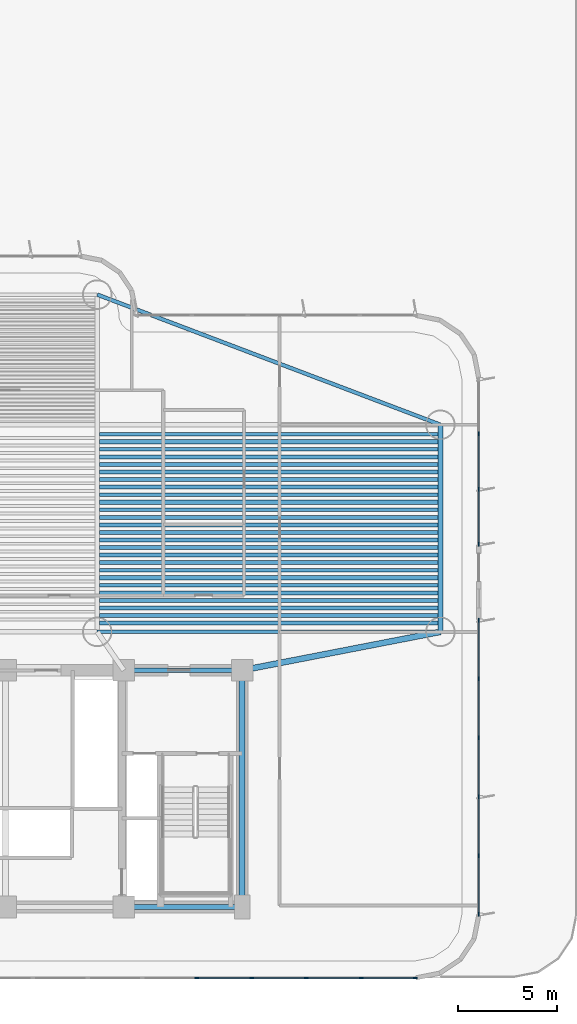
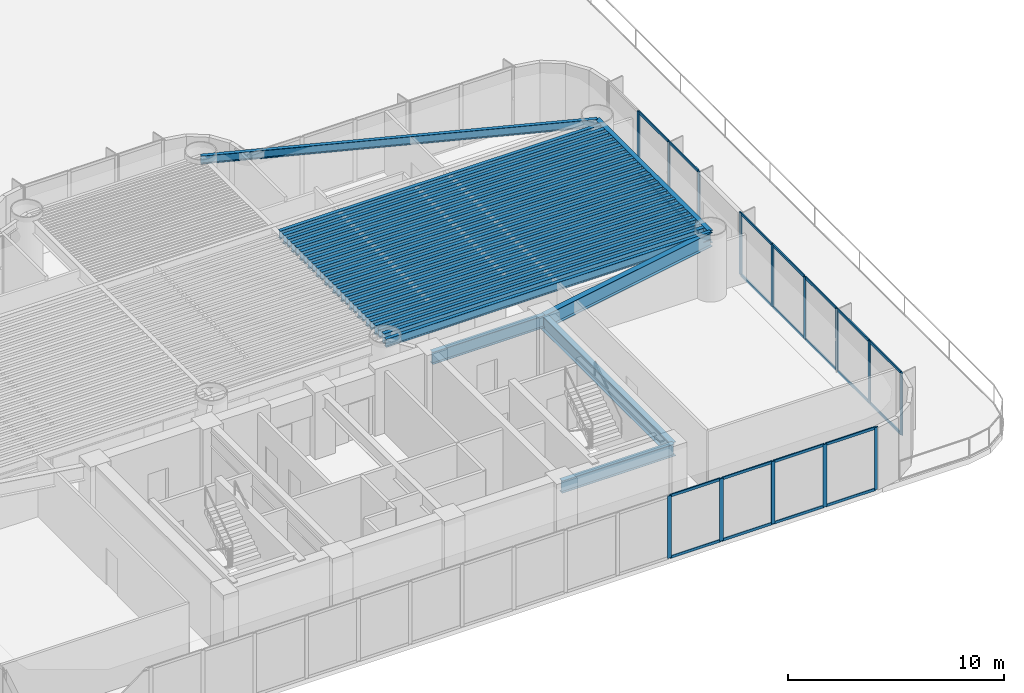
# One storey, part 5 of 17: 36 members, 33 beams, 3 elements without a shape of their own.
"""IFC4 building model written with IfcOpenShell, lengths in metres."""

from ifc_helpers import new_model, si_unit, direction, frame, origin, origin_2d, place, context, subcontext, project, spatial, rectangle, i_section, extrude, source, transform, mapped, material, layer, layer_set, material_profile, profile_set, type_object, element, aggregate, save


model = new_model("IFC4")

# Units and contexts
model_context = context("Model", 3, precision=1e-05, world=origin(), true_north=direction((0.0, 1.0)))
body_context = subcontext(model_context, "Body", "Model", "MODEL_VIEW")
ifc_project = project(units=[si_unit("LENGTHUNIT", "METRE"), si_unit("AREAUNIT", "SQUARE_METRE"), si_unit("VOLUMEUNIT", "CUBIC_METRE"), si_unit("PLANEANGLEUNIT", "RADIAN"), si_unit("MASSUNIT", "GRAM", prefix="KILO")], contexts=[model_context])

# Site, building, storey
site_placement = place(None, origin())
site = spatial("IfcSite", under=ifc_project, at=site_placement, CompositionType="ELEMENT")
building_placement = place(site_placement, origin())
building = spatial("IfcBuilding", under=site, at=building_placement, Name="Brelvock Crest Care Tower", CompositionType="ELEMENT")
storey_placement = place(building_placement, frame((0.0, 0.0, 27.0)))
storey = spatial("IfcBuildingStorey", under=building, at=storey_placement, Name="L06", CompositionType="ELEMENT", Elevation=27.0)

# Beams
ifc_material_1 = material(Name="Steel Grade 350", Category="steel")
ifc_material_profile_1 = material_profile(ifc_material_1, i_section(OverallWidth=0.25, OverallDepth=0.699951171875, WebThickness=0.011962890625, FlangeThickness=0.02001953125, at=origin_2d()), Name="700WB150")
ifc_profile_set_1 = profile_set([ifc_material_profile_1], Name="Steel Grade 350")
beam_type_1 = type_object("IfcBeamType", Name="BM-G4", PredefinedType="BEAM", material=ifc_profile_set_1)
shared_shape_1 = source(origin(), body_context, "Body", "SweptSolid", [
    extrude(i_section(OverallWidth=0.25, OverallDepth=0.699951171875, WebThickness=0.011962890625, FlangeThickness=0.02001953125, at=origin_2d()), origin(), (0.0, 0.0, 1.0), 6.0),
])
for number, where, z_axis, x_axis, name in (
    (1, (42.0, 6.0, 3.179931640625), (1.0, 0.0, 0.0), (0.0, 1.0, 0.0), "BM-CORES-L06-4"),
    (2, (42.0, 18.0, 3.179931640625), (1.0, 0.0, 0.0), (0.0, 1.0, 0.0), "BM-COREN-L06-4"),
):
    element("IfcBeam", number, at=place(storey_placement, frame(where, z_axis=z_axis, x_axis=x_axis)), inside=storey, type_object=beam_type_1, Name=name, PredefinedType="BEAM", context=body_context, shape_type="MappedRepresentation", body=[
        mapped(shared_shape_1, transform((0.0, 0.0, 0.0), x_axis=(1.0, 0.0, 0.0), y_axis=(0.0, 1.0, 0.0), z_axis=(0.0, 0.0, 1.0), scale=1.0)),
    ])
ifc_material_profile_2 = material_profile(ifc_material_1, i_section(OverallWidth=0.300048828125, OverallDepth=0.800048828125, WebThickness=0.013916015625, FlangeThickness=0.02197265625, at=origin_2d()), Name="800WB192")
ifc_profile_set_2 = profile_set([ifc_material_profile_2], Name="Steel Grade 350")
beam_type_2 = type_object("IfcBeamType", Name="BM-G5", PredefinedType="BEAM", material=ifc_profile_set_2)
shared_shape_2 = source(origin(), body_context, "Body", "SweptSolid", [
    extrude(i_section(OverallWidth=0.300048828125, OverallDepth=0.800048828125, WebThickness=0.013916015625, FlangeThickness=0.02197265625, at=origin_2d()), origin(), (0.0, 0.0, 1.0), 12.0),
])
beam_1_placement = place(storey_placement, frame((48.0, 6.0, 3.1298828125), z_axis=(0.0, 1.0, 0.0), x_axis=(-1.0, 0.0, 0.0)))
element("IfcBeam", 3, at=beam_1_placement, inside=storey, type_object=beam_type_2, Name="BM-COREX-L06-5", PredefinedType="BEAM", context=body_context, shape_type="MappedRepresentation", body=[
    mapped(shared_shape_2, transform((0.0, 0.0, 0.0), x_axis=(1.0, 0.0, 0.0), y_axis=(0.0, 1.0, 0.0), z_axis=(0.0, 0.0, 1.0), scale=1.0)),
])
shared_shape_3 = source(origin(), body_context, "Body", "SweptSolid", [
    extrude(i_section(OverallWidth=0.25, OverallDepth=0.699951171875, WebThickness=0.011962890625, FlangeThickness=0.02001953125, at=origin_2d()), origin(), (0.0, 0.0, 1.0), 10.5),
])
beam_2_placement = place(storey_placement, frame((58.050048828125, 19.949951171875, 3.179931640625), z_axis=(0.0, 1.0, 0.0), x_axis=(-1.0, 0.0, 0.0)))
element("IfcBeam", 4, at=beam_2_placement, inside=storey, type_object=beam_type_1, Name="BM-TWR-L06-02", PredefinedType="BEAM", context=body_context, shape_type="MappedRepresentation", body=[
    mapped(shared_shape_3, transform((0.0, 0.0, 0.0), x_axis=(1.0, 0.0, 0.0), y_axis=(0.0, 1.0, 0.0), z_axis=(0.0, 0.0, 1.0), scale=1.0)),
])
ifc_material_profile_3 = material_profile(ifc_material_1, i_section(OverallWidth=0.19091796875, OverallDepth=0.4599609375, WebThickness=0.010009765625, FlangeThickness=0.01611328125, FilletRadius=0.011474609375, at=origin_2d()), Name="460UB82.1")
ifc_profile_set_3 = profile_set([ifc_material_profile_3], Name="Steel Grade 350")
beam_type_3 = type_object("IfcBeamType", Name="BM-SP2", PredefinedType="SPANDREL", material=ifc_profile_set_3)
shared_shape_4 = source(origin(), body_context, "Body", "SweptSolid", [
    extrude(i_section(OverallWidth=0.19091796875, OverallDepth=0.4599609375, WebThickness=0.010009765625, FlangeThickness=0.01611328125, FilletRadius=0.011474609375, at=origin_2d()), origin(), (0.0, 0.0, 1.0), 17.400146484375),
])
beam_3_placement = place(storey_placement, frame((40.64990234375, 19.949951171875, 3.300048828125), z_axis=(1.0, 0.0, 0.0), x_axis=(0.0, 1.0, 0.0)))
element("IfcBeam", 5, at=beam_3_placement, inside=storey, type_object=beam_type_3, Name="BM-TWR-L06-04", PredefinedType="SPANDREL", context=body_context, shape_type="MappedRepresentation", body=[
    mapped(shared_shape_4, transform((0.0, 0.0, 0.0), x_axis=(1.0, 0.0, 0.0), y_axis=(0.0, 1.0, 0.0), z_axis=(0.0, 0.0, 1.0), scale=1.0)),
])
shared_shape_5 = source(origin(), body_context, "Body", "SweptSolid", [
    extrude(i_section(OverallWidth=0.19091796875, OverallDepth=0.4599609375, WebThickness=0.010009765625, FlangeThickness=0.01611328125, FilletRadius=0.011474609375, at=origin_2d()), origin(), (0.0, 0.0, 1.0), 18.60986328125),
])
beam_4_placement = place(storey_placement, frame((40.64990234375, 37.050048828125, 3.300048828125), z_axis=(0.934996776275, -0.3546562115, 0.0), x_axis=(0.3546562115, 0.934996776275, 0.0)))
element("IfcBeam", 6, at=beam_4_placement, inside=storey, type_object=beam_type_3, Name="BM-TWR-L06-07", PredefinedType="SPANDREL", context=body_context, shape_type="MappedRepresentation", body=[
    mapped(shared_shape_5, transform((0.0, 0.0, 0.0), x_axis=(1.0, 0.0, 0.0), y_axis=(0.0, 1.0, 0.0), z_axis=(0.0, 0.0, 1.0), scale=1.0)),
])
shared_shape_6 = source(origin(), body_context, "Body", "SweptSolid", [
    extrude(i_section(OverallWidth=0.300048828125, OverallDepth=0.800048828125, WebThickness=0.013916015625, FlangeThickness=0.02197265625, at=origin_2d()), origin(), (0.0, 0.0, 1.0), 10.237548828125),
])
beam_5_placement = place(storey_placement, frame((48.0, 18.0, 3.1298828125), z_axis=(0.981692632568, 0.190471979991, 0.0), x_axis=(-0.190471979991, 0.981692632568, 0.0)))
element("IfcBeam", 7, at=beam_5_placement, inside=storey, type_object=beam_type_2, Name="BM-THRO-E-L06", PredefinedType="BEAM", context=body_context, shape_type="MappedRepresentation", body=[
    mapped(shared_shape_6, transform((0.0, 0.0, 0.0), x_axis=(1.0, 0.0, 0.0), y_axis=(0.0, 1.0, 0.0), z_axis=(0.0, 0.0, 1.0), scale=1.0)),
])
ifc_material_profile_4 = material_profile(ifc_material_1, i_section(OverallWidth=0.208984375, OverallDepth=0.532958984375, WebThickness=0.01025390625, FlangeThickness=0.015625, FilletRadius=0.013916015625, at=origin_2d()), Name="530UB92.4")
ifc_profile_set_4 = profile_set([ifc_material_profile_4], Name="Steel Grade 350")
beam_type_4 = type_object("IfcBeamType", Name="BM-G2", PredefinedType="BEAM", material=ifc_profile_set_4)
shared_shape_7 = source(origin(), body_context, "Body", "SweptSolid", [
    extrude(i_section(OverallWidth=0.208984375, OverallDepth=0.532958984375, WebThickness=0.01025390625, FlangeThickness=0.015625, FilletRadius=0.013916015625, at=origin_2d()), origin(), (0.0, 0.0, 1.0), 17.170166015625),
])
for number, where, z_axis, x_axis, name in (
    (8, (40.764892578125, 20.39111328125, 3.263427734375), (1.0, 0.0, 0.0), (0.0, 1.0, 0.0), "BM-JE-L06-1"),
    (9, (40.764892578125, 21.157470703125, 3.263427734375), (1.0, 0.0, 0.0), (0.0, 1.0, 0.0), "BM-JE-L06-3"),
    (10, (40.764892578125, 21.924072265625, 3.263427734375), (1.0, 0.0, 0.0), (0.0, 1.0, 0.0), "BM-JE-L06-5"),
    (11, (40.764892578125, 22.6904296875, 3.263427734375), (1.0, 0.0, 0.0), (0.0, 1.0, 0.0), "BM-JE-L06-7"),
    (12, (40.764892578125, 23.45703125, 3.263427734375), (1.0, 0.0, 0.0), (0.0, 1.0, 0.0), "BM-JE-L06-9"),
    (13, (40.764892578125, 24.223388671875, 3.263427734375), (1.0, 0.0, 0.0), (0.0, 1.0, 0.0), "BM-JE-L06-11"),
    (14, (40.764892578125, 24.989990234375, 3.263427734375), (1.0, 0.0, 0.0), (0.0, 1.0, 0.0), "BM-JE-L06-13"),
    (15, (40.764892578125, 25.756591796875, 3.263427734375), (1.0, 0.0, 0.0), (0.0, 1.0, 0.0), "BM-JE-L06-15"),
    (16, (40.764892578125, 26.52294921875, 3.263427734375), (1.0, 0.0, 0.0), (0.0, 1.0, 0.0), "BM-JE-L06-17"),
    (17, (40.764892578125, 27.28955078125, 3.263427734375), (1.0, 0.0, 0.0), (0.0, 1.0, 0.0), "BM-JE-L06-19"),
    (18, (40.764892578125, 28.055908203125, 3.263427734375), (1.0, 0.0, 0.0), (0.0, 1.0, 0.0), "BM-JE-L06-21"),
    (19, (40.764892578125, 28.822509765625, 3.263427734375), (1.0, 0.0, 0.0), (0.0, 1.0, 0.0), "BM-JE-L06-23"),
    (20, (40.764892578125, 29.589111328125, 3.263427734375), (1.0, 0.0, 0.0), (0.0, 1.0, 0.0), "BM-JE-L06-25"),
):
    element("IfcBeam", number, at=place(storey_placement, frame(where, z_axis=z_axis, x_axis=x_axis)), inside=storey, type_object=beam_type_4, Name=name, PredefinedType="BEAM", context=body_context, shape_type="MappedRepresentation", body=[
        mapped(shared_shape_7, transform((0.0, 0.0, 0.0), x_axis=(1.0, 0.0, 0.0), y_axis=(0.0, 1.0, 0.0), z_axis=(0.0, 0.0, 1.0), scale=1.0)),
    ])
ifc_material_profile_5 = material_profile(ifc_material_1, i_section(OverallWidth=0.19091796875, OverallDepth=0.4599609375, WebThickness=0.010009765625, FlangeThickness=0.01611328125, FilletRadius=0.011474609375, at=origin_2d()), Name="460UB82.1")
ifc_profile_set_5 = profile_set([ifc_material_profile_5], Name="Steel Grade 350")
beam_type_5 = type_object("IfcBeamType", Name="BM-G3", PredefinedType="BEAM", material=ifc_profile_set_5)
shared_shape_8 = source(origin(), body_context, "Body", "SweptSolid", [
    extrude(i_section(OverallWidth=0.19091796875, OverallDepth=0.4599609375, WebThickness=0.010009765625, FlangeThickness=0.01611328125, FilletRadius=0.011474609375, at=origin_2d()), origin(), (0.0, 0.0, 1.0), 17.170166015625),
])
for number, where, z_axis, x_axis, name in (
    (21, (40.764892578125, 20.774169921875, 3.300048828125), (1.0, 0.0, 0.0), (0.0, 1.0, 0.0), "BM-JE-L06-2"),
    (22, (40.764892578125, 21.540771484375, 3.300048828125), (1.0, 0.0, 0.0), (0.0, 1.0, 0.0), "BM-JE-L06-4"),
    (23, (40.764892578125, 22.30712890625, 3.300048828125), (1.0, 0.0, 0.0), (0.0, 1.0, 0.0), "BM-JE-L06-6"),
    (24, (40.764892578125, 23.07373046875, 3.300048828125), (1.0, 0.0, 0.0), (0.0, 1.0, 0.0), "BM-JE-L06-8"),
    (25, (40.764892578125, 23.840087890625, 3.300048828125), (1.0, 0.0, 0.0), (0.0, 1.0, 0.0), "BM-JE-L06-10"),
    (26, (40.764892578125, 24.606689453125, 3.300048828125), (1.0, 0.0, 0.0), (0.0, 1.0, 0.0), "BM-JE-L06-12"),
    (27, (40.764892578125, 25.373291015625, 3.300048828125), (1.0, 0.0, 0.0), (0.0, 1.0, 0.0), "BM-JE-L06-14"),
    (28, (40.764892578125, 26.1396484375, 3.300048828125), (1.0, 0.0, 0.0), (0.0, 1.0, 0.0), "BM-JE-L06-16"),
    (29, (40.764892578125, 26.90625, 3.300048828125), (1.0, 0.0, 0.0), (0.0, 1.0, 0.0), "BM-JE-L06-18"),
    (30, (40.764892578125, 27.6728515625, 3.300048828125), (1.0, 0.0, 0.0), (0.0, 1.0, 0.0), "BM-JE-L06-20"),
    (31, (40.764892578125, 28.439208984375, 3.300048828125), (1.0, 0.0, 0.0), (0.0, 1.0, 0.0), "BM-JE-L06-22"),
    (32, (40.764892578125, 29.205810546875, 3.300048828125), (1.0, 0.0, 0.0), (0.0, 1.0, 0.0), "BM-JE-L06-24"),
    (33, (40.764892578125, 29.97216796875, 3.300048828125), (1.0, 0.0, 0.0), (0.0, 1.0, 0.0), "BM-JE-L06-26"),
):
    element("IfcBeam", number, at=place(storey_placement, frame(where, z_axis=z_axis, x_axis=x_axis)), inside=storey, type_object=beam_type_5, Name=name, PredefinedType="BEAM", context=body_context, shape_type="MappedRepresentation", body=[
        mapped(shared_shape_8, transform((0.0, 0.0, 0.0), x_axis=(1.0, 0.0, 0.0), y_axis=(0.0, 1.0, 0.0), z_axis=(0.0, 0.0, 1.0), scale=1.0)),
    ])

# Curtain wall, members
ifc_material_2 = material(Name="Dark Glass Double Glazed Low-E", Category="glass")
ifc_layer = layer(ifc_material_2, 0.195068359375, Name="CWS-2")
ifc_layer_set = layer_set([ifc_layer], Name="Dark Glass Double Glazed Low-E")
curtain_wall_type = type_object("IfcCurtainWallType", Name="CWS-2", PredefinedType="NOTDEFINED", material=ifc_layer_set)
curtain_wall_1_placement = place(storey_placement, origin())
curtain_wall_1 = element("IfcCurtainWall", 34, at=curtain_wall_1_placement, inside=storey, type_object=curtain_wall_type, Name="L06 Curtain Wall E03A", PredefinedType="NOTDEFINED")
ifc_material_3 = material(Name="Aluminium 6063-T6", Category="aluminium")
ifc_material_profile_6 = material_profile(ifc_material_3, rectangle(XDim=0.06494140625, YDim=0.199951171875, at=origin_2d()), Name="ALU65x200")
ifc_profile_set_6 = profile_set([ifc_material_profile_6], Name="Aluminium 6063-T6")
member_type_1 = type_object("IfcMemberType", Name="CWM-1", PredefinedType="MULLION", material=ifc_profile_set_6)
shared_shape_9 = source(origin(), body_context, "Body", "SweptSolid", [
    extrude(rectangle(XDim=0.06494140625, YDim=0.199951171875, at=origin_2d()), origin(), (0.0, 0.0, 1.0), 3.530029296875),
])
member_1_placement = place(storey_placement, frame((60.0, 29.988037109375, 0.0), z_axis=(0.0, 0.0, 1.0), x_axis=(1.0, 0.0, 0.0)))
member_1 = element("IfcMember", 35, at=member_1_placement, type_object=member_type_1, Name="CW-2 mullion 2", PredefinedType="MULLION", context=body_context, shape_type="MappedRepresentation", body=[
    mapped(shared_shape_9, transform((0.0, 0.0, 0.0), x_axis=(1.0, 0.0, 0.0), y_axis=(0.0, 1.0, 0.0), z_axis=(0.0, 0.0, 1.0), scale=1.0)),
])
member_2_placement = place(storey_placement, frame((60.0, 27.176025390625, 0.0), z_axis=(0.0, 0.0, 1.0), x_axis=(1.0, 0.0, 0.0)))
member_2 = element("IfcMember", 36, at=member_2_placement, type_object=member_type_1, Name="CW-2 mullion 3", PredefinedType="MULLION", context=body_context, shape_type="MappedRepresentation", body=[
    mapped(shared_shape_9, transform((0.0, 0.0, 0.0), x_axis=(1.0, 0.0, 0.0), y_axis=(0.0, 1.0, 0.0), z_axis=(0.0, 0.0, 1.0), scale=1.0)),
])
member_3_placement = place(storey_placement, frame((60.0, 24.396484375, 0.0), z_axis=(0.0, 0.0, 1.0), x_axis=(1.0, 0.0, 0.0)))
member_3 = element("IfcMember", 37, at=member_3_placement, type_object=member_type_1, Name="CW-2 mullion 4", PredefinedType="MULLION", context=body_context, shape_type="MappedRepresentation", body=[
    mapped(shared_shape_9, transform((0.0, 0.0, 0.0), x_axis=(1.0, 0.0, 0.0), y_axis=(0.0, 1.0, 0.0), z_axis=(0.0, 0.0, 1.0), scale=1.0)),
])

curtain_wall_2_placement = place(storey_placement, origin())
curtain_wall_2 = element("IfcCurtainWall", 38, at=curtain_wall_2_placement, inside=storey, type_object=curtain_wall_type, Name="L06 Curtain Wall E03B", PredefinedType="NOTDEFINED")
member_4_placement = place(storey_placement, frame((60.0, 20.531494140625, 0.0), z_axis=(0.0, 0.0, 1.0), x_axis=(1.0, 0.0, 0.0)))
member_4 = element("IfcMember", 39, at=member_4_placement, type_object=member_type_1, Name="CW-2 mullion 1", PredefinedType="MULLION", context=body_context, shape_type="MappedRepresentation", body=[
    mapped(shared_shape_9, transform((0.0, 0.0, 0.0), x_axis=(1.0, 0.0, 0.0), y_axis=(0.0, 1.0, 0.0), z_axis=(0.0, 0.0, 1.0), scale=1.0)),
])
member_5_placement = place(storey_placement, frame((60.0, 17.5712890625, 0.0), z_axis=(0.0, 0.0, 1.0), x_axis=(1.0, 0.0, 0.0)))
member_5 = element("IfcMember", 40, at=member_5_placement, type_object=member_type_1, Name="CW-2 mullion 2", PredefinedType="MULLION", context=body_context, shape_type="MappedRepresentation", body=[
    mapped(shared_shape_9, transform((0.0, 0.0, 0.0), x_axis=(1.0, 0.0, 0.0), y_axis=(0.0, 1.0, 0.0), z_axis=(0.0, 0.0, 1.0), scale=1.0)),
])
member_6_placement = place(storey_placement, frame((60.0, 14.578369140625, 0.0), z_axis=(0.0, 0.0, 1.0), x_axis=(1.0, 0.0, 0.0)))
member_6 = element("IfcMember", 41, at=member_6_placement, type_object=member_type_1, Name="CW-2 mullion 3", PredefinedType="MULLION", context=body_context, shape_type="MappedRepresentation", body=[
    mapped(shared_shape_9, transform((0.0, 0.0, 0.0), x_axis=(1.0, 0.0, 0.0), y_axis=(0.0, 1.0, 0.0), z_axis=(0.0, 0.0, 1.0), scale=1.0)),
])
member_7_placement = place(storey_placement, frame((60.0, 11.585693359375, 0.0), z_axis=(0.0, 0.0, 1.0), x_axis=(1.0, 0.0, 0.0)))
member_7 = element("IfcMember", 42, at=member_7_placement, type_object=member_type_1, Name="CW-2 mullion 4", PredefinedType="MULLION", context=body_context, shape_type="MappedRepresentation", body=[
    mapped(shared_shape_9, transform((0.0, 0.0, 0.0), x_axis=(1.0, 0.0, 0.0), y_axis=(0.0, 1.0, 0.0), z_axis=(0.0, 0.0, 1.0), scale=1.0)),
])
member_8_placement = place(storey_placement, frame((60.0, 8.5927734375, 0.0), z_axis=(0.0, 0.0, 1.0), x_axis=(1.0, 0.0, 0.0)))
member_8 = element("IfcMember", 43, at=member_8_placement, type_object=member_type_1, Name="CW-2 mullion 5", PredefinedType="MULLION", context=body_context, shape_type="MappedRepresentation", body=[
    mapped(shared_shape_9, transform((0.0, 0.0, 0.0), x_axis=(1.0, 0.0, 0.0), y_axis=(0.0, 1.0, 0.0), z_axis=(0.0, 0.0, 1.0), scale=1.0)),
])
member_9_placement = place(storey_placement, frame((60.0, 5.632568359375, 0.0), z_axis=(0.0, 0.0, 1.0), x_axis=(1.0, 0.0, 0.0)))
member_9 = element("IfcMember", 44, at=member_9_placement, type_object=member_type_1, Name="CW-2 mullion 6", PredefinedType="MULLION", context=body_context, shape_type="MappedRepresentation", body=[
    mapped(shared_shape_9, transform((0.0, 0.0, 0.0), x_axis=(1.0, 0.0, 0.0), y_axis=(0.0, 1.0, 0.0), z_axis=(0.0, 0.0, 1.0), scale=1.0)),
])

curtain_wall_3_placement = place(storey_placement, origin())
curtain_wall_3 = element("IfcCurtainWall", 45, at=curtain_wall_3_placement, inside=storey, type_object=curtain_wall_type, Name="L06 Curtain Wall E08", PredefinedType="NOTDEFINED")
member_10_placement = place(storey_placement, frame((56.767578125, 2.39990234375, 0.0), z_axis=(0.0, 0.0, 1.0), x_axis=(0.0, -1.0, 0.0)))
member_10 = element("IfcMember", 46, at=member_10_placement, type_object=member_type_1, Name="CW-2 mullion 1", PredefinedType="MULLION", context=body_context, shape_type="MappedRepresentation", body=[
    mapped(shared_shape_9, transform((0.0, 0.0, 0.0), x_axis=(1.0, 0.0, 0.0), y_axis=(0.0, 1.0, 0.0), z_axis=(0.0, 0.0, 1.0), scale=1.0)),
])
member_11_placement = place(storey_placement, frame((54.026611328125, 2.39990234375, 0.0), z_axis=(0.0, 0.0, 1.0), x_axis=(0.0, -1.0, 0.0)))
member_11 = element("IfcMember", 47, at=member_11_placement, type_object=member_type_1, Name="CW-2 mullion 2", PredefinedType="MULLION", context=body_context, shape_type="MappedRepresentation", body=[
    mapped(shared_shape_9, transform((0.0, 0.0, 0.0), x_axis=(1.0, 0.0, 0.0), y_axis=(0.0, 1.0, 0.0), z_axis=(0.0, 0.0, 1.0), scale=1.0)),
])
member_12_placement = place(storey_placement, frame((51.25341796875, 2.39990234375, 0.0), z_axis=(0.0, 0.0, 1.0), x_axis=(0.0, -1.0, 0.0)))
member_12 = element("IfcMember", 48, at=member_12_placement, type_object=member_type_1, Name="CW-2 mullion 3", PredefinedType="MULLION", context=body_context, shape_type="MappedRepresentation", body=[
    mapped(shared_shape_9, transform((0.0, 0.0, 0.0), x_axis=(1.0, 0.0, 0.0), y_axis=(0.0, 1.0, 0.0), z_axis=(0.0, 0.0, 1.0), scale=1.0)),
])
member_13_placement = place(storey_placement, frame((48.47998046875, 2.39990234375, 0.0), z_axis=(0.0, 0.0, 1.0), x_axis=(0.0, -1.0, 0.0)))
member_13 = element("IfcMember", 49, at=member_13_placement, type_object=member_type_1, Name="CW-2 mullion 4", PredefinedType="MULLION", context=body_context, shape_type="MappedRepresentation", body=[
    mapped(shared_shape_9, transform((0.0, 0.0, 0.0), x_axis=(1.0, 0.0, 0.0), y_axis=(0.0, 1.0, 0.0), z_axis=(0.0, 0.0, 1.0), scale=1.0)),
])
member_14_placement = place(storey_placement, frame((45.706787109375, 2.39990234375, 0.0), z_axis=(0.0, 0.0, 1.0), x_axis=(0.0, -1.0, 0.0)))
member_14 = element("IfcMember", 50, at=member_14_placement, type_object=member_type_1, Name="CW-2 mullion 5", PredefinedType="MULLION", context=body_context, shape_type="MappedRepresentation", body=[
    mapped(shared_shape_9, transform((0.0, 0.0, 0.0), x_axis=(1.0, 0.0, 0.0), y_axis=(0.0, 1.0, 0.0), z_axis=(0.0, 0.0, 1.0), scale=1.0)),
])

# Member
ifc_material_profile_7 = material_profile(ifc_material_3, rectangle(XDim=0.06494140625, YDim=0.14990234375, at=origin_2d()), Name="ALU65x150")
ifc_profile_set_7 = profile_set([ifc_material_profile_7], Name="Aluminium 6063-T6")
member_type_2 = type_object("IfcMemberType", Name="CWT-1", PredefinedType="USERDEFINED", material=ifc_profile_set_7)
shared_shape_10 = source(origin(), body_context, "Body", "SweptSolid", [
    extrude(rectangle(XDim=0.06494140625, YDim=0.14990234375, at=origin_2d()), origin(), (0.0, 0.0, 1.0), 2.714599609375),
])
member_15_placement = place(storey_placement, frame((60.0, 27.1435546875, 0.032470703125), z_axis=(0.0, -1.0, 0.0), x_axis=(1.0, 0.0, 0.0)))
member_15 = element("IfcMember", 51, at=member_15_placement, type_object=member_type_2, Name="CW-2 transom 3.1", ObjectType="TRANSOM", PredefinedType="USERDEFINED", context=body_context, shape_type="MappedRepresentation", body=[
    mapped(shared_shape_10, transform((0.0, 0.0, 0.0), x_axis=(1.0, 0.0, 0.0), y_axis=(0.0, 1.0, 0.0), z_axis=(0.0, 0.0, 1.0), scale=1.0)),
])

member_16_placement = place(storey_placement, frame((60.0, 27.1435546875, 3.49755859375), z_axis=(0.0, -1.0, 0.0), x_axis=(1.0, 0.0, 0.0)))
member_16 = element("IfcMember", 52, at=member_16_placement, type_object=member_type_2, Name="CW-2 transom 3.2", ObjectType="TRANSOM", PredefinedType="USERDEFINED", context=body_context, shape_type="MappedRepresentation", body=[
    mapped(shared_shape_10, transform((0.0, 0.0, 0.0), x_axis=(1.0, 0.0, 0.0), y_axis=(0.0, 1.0, 0.0), z_axis=(0.0, 0.0, 1.0), scale=1.0)),
])

shared_shape_11 = source(origin(), body_context, "Body", "SweptSolid", [
    extrude(rectangle(XDim=0.06494140625, YDim=0.14990234375, at=origin_2d()), origin(), (0.0, 0.0, 1.0), 2.7470703125),
])
member_17_placement = place(storey_placement, frame((60.0, 29.95556640625, 0.032470703125), z_axis=(0.0, -1.0, 0.0), x_axis=(1.0, 0.0, 0.0)))
member_17 = element("IfcMember", 53, at=member_17_placement, type_object=member_type_2, Name="CW-2 transom 2.1", ObjectType="TRANSOM", PredefinedType="USERDEFINED", context=body_context, shape_type="MappedRepresentation", body=[
    mapped(shared_shape_11, transform((0.0, 0.0, 0.0), x_axis=(1.0, 0.0, 0.0), y_axis=(0.0, 1.0, 0.0), z_axis=(0.0, 0.0, 1.0), scale=1.0)),
])

member_18_placement = place(storey_placement, frame((60.0, 29.95556640625, 3.49755859375), z_axis=(0.0, -1.0, 0.0), x_axis=(1.0, 0.0, 0.0)))
member_18 = element("IfcMember", 54, at=member_18_placement, type_object=member_type_2, Name="CW-2 transom 2.2", ObjectType="TRANSOM", PredefinedType="USERDEFINED", context=body_context, shape_type="MappedRepresentation", body=[
    mapped(shared_shape_11, transform((0.0, 0.0, 0.0), x_axis=(1.0, 0.0, 0.0), y_axis=(0.0, 1.0, 0.0), z_axis=(0.0, 0.0, 1.0), scale=1.0)),
])

aggregate(curtain_wall_1, [member_1, member_2, member_3, member_17, member_18, member_15, member_16])

shared_shape_12 = source(origin(), body_context, "Body", "SweptSolid", [
    extrude(rectangle(XDim=0.06494140625, YDim=0.14990234375, at=origin_2d()), origin(), (0.0, 0.0, 1.0), 2.895263671875),
])
member_19_placement = place(storey_placement, frame((60.0, 20.4990234375, 0.032470703125), z_axis=(0.0, -1.0, 0.0), x_axis=(1.0, 0.0, 0.0)))
member_19 = element("IfcMember", 55, at=member_19_placement, type_object=member_type_2, Name="CW-2 transom 1.1", ObjectType="TRANSOM", PredefinedType="USERDEFINED", context=body_context, shape_type="MappedRepresentation", body=[
    mapped(shared_shape_12, transform((0.0, 0.0, 0.0), x_axis=(1.0, 0.0, 0.0), y_axis=(0.0, 1.0, 0.0), z_axis=(0.0, 0.0, 1.0), scale=1.0)),
])

member_20_placement = place(storey_placement, frame((60.0, 20.4990234375, 3.49755859375), z_axis=(0.0, -1.0, 0.0), x_axis=(1.0, 0.0, 0.0)))
member_20 = element("IfcMember", 56, at=member_20_placement, type_object=member_type_2, Name="CW-2 transom 1.2", ObjectType="TRANSOM", PredefinedType="USERDEFINED", context=body_context, shape_type="MappedRepresentation", body=[
    mapped(shared_shape_12, transform((0.0, 0.0, 0.0), x_axis=(1.0, 0.0, 0.0), y_axis=(0.0, 1.0, 0.0), z_axis=(0.0, 0.0, 1.0), scale=1.0)),
])

member_21_placement = place(storey_placement, frame((60.0, 8.560302734375, 0.032470703125), z_axis=(0.0, -1.0, 0.0), x_axis=(1.0, 0.0, 0.0)))
member_21 = element("IfcMember", 57, at=member_21_placement, type_object=member_type_2, Name="CW-2 transom 5.1", ObjectType="TRANSOM", PredefinedType="USERDEFINED", context=body_context, shape_type="MappedRepresentation", body=[
    mapped(shared_shape_12, transform((0.0, 0.0, 0.0), x_axis=(1.0, 0.0, 0.0), y_axis=(0.0, 1.0, 0.0), z_axis=(0.0, 0.0, 1.0), scale=1.0)),
])

member_22_placement = place(storey_placement, frame((60.0, 8.560302734375, 3.49755859375), z_axis=(0.0, -1.0, 0.0), x_axis=(1.0, 0.0, 0.0)))
member_22 = element("IfcMember", 58, at=member_22_placement, type_object=member_type_2, Name="CW-2 transom 5.2", ObjectType="TRANSOM", PredefinedType="USERDEFINED", context=body_context, shape_type="MappedRepresentation", body=[
    mapped(shared_shape_12, transform((0.0, 0.0, 0.0), x_axis=(1.0, 0.0, 0.0), y_axis=(0.0, 1.0, 0.0), z_axis=(0.0, 0.0, 1.0), scale=1.0)),
])

shared_shape_13 = source(origin(), body_context, "Body", "SweptSolid", [
    extrude(rectangle(XDim=0.06494140625, YDim=0.14990234375, at=origin_2d()), origin(), (0.0, 0.0, 1.0), 2.927978515625),
])
member_23_placement = place(storey_placement, frame((60.0, 17.538818359375, 0.032470703125), z_axis=(0.0, -1.0, 0.0), x_axis=(1.0, 0.0, 0.0)))
member_23 = element("IfcMember", 59, at=member_23_placement, type_object=member_type_2, Name="CW-2 transom 2.1", ObjectType="TRANSOM", PredefinedType="USERDEFINED", context=body_context, shape_type="MappedRepresentation", body=[
    mapped(shared_shape_13, transform((0.0, 0.0, 0.0), x_axis=(1.0, 0.0, 0.0), y_axis=(0.0, 1.0, 0.0), z_axis=(0.0, 0.0, 1.0), scale=1.0)),
])

member_24_placement = place(storey_placement, frame((60.0, 17.538818359375, 3.49755859375), z_axis=(0.0, -1.0, 0.0), x_axis=(1.0, 0.0, 0.0)))
member_24 = element("IfcMember", 60, at=member_24_placement, type_object=member_type_2, Name="CW-2 transom 2.2", ObjectType="TRANSOM", PredefinedType="USERDEFINED", context=body_context, shape_type="MappedRepresentation", body=[
    mapped(shared_shape_13, transform((0.0, 0.0, 0.0), x_axis=(1.0, 0.0, 0.0), y_axis=(0.0, 1.0, 0.0), z_axis=(0.0, 0.0, 1.0), scale=1.0)),
])

shared_shape_14 = source(origin(), body_context, "Body", "SweptSolid", [
    extrude(rectangle(XDim=0.06494140625, YDim=0.14990234375, at=origin_2d()), origin(), (0.0, 0.0, 1.0), 2.927734375),
])
member_25_placement = place(storey_placement, frame((60.0, 14.5458984375, 0.032470703125), z_axis=(0.0, -1.0, 0.0), x_axis=(1.0, 0.0, 0.0)))
member_25 = element("IfcMember", 61, at=member_25_placement, type_object=member_type_2, Name="CW-2 transom 3.1", ObjectType="TRANSOM", PredefinedType="USERDEFINED", context=body_context, shape_type="MappedRepresentation", body=[
    mapped(shared_shape_14, transform((0.0, 0.0, 0.0), x_axis=(1.0, 0.0, 0.0), y_axis=(0.0, 1.0, 0.0), z_axis=(0.0, 0.0, 1.0), scale=1.0)),
])

member_26_placement = place(storey_placement, frame((60.0, 14.5458984375, 3.49755859375), z_axis=(0.0, -1.0, 0.0), x_axis=(1.0, 0.0, 0.0)))
member_26 = element("IfcMember", 62, at=member_26_placement, type_object=member_type_2, Name="CW-2 transom 3.2", ObjectType="TRANSOM", PredefinedType="USERDEFINED", context=body_context, shape_type="MappedRepresentation", body=[
    mapped(shared_shape_14, transform((0.0, 0.0, 0.0), x_axis=(1.0, 0.0, 0.0), y_axis=(0.0, 1.0, 0.0), z_axis=(0.0, 0.0, 1.0), scale=1.0)),
])

member_27_placement = place(storey_placement, frame((60.0, 11.552978515625, 0.032470703125), z_axis=(0.0, -1.0, 0.0), x_axis=(1.0, 0.0, 0.0)))
member_27 = element("IfcMember", 63, at=member_27_placement, type_object=member_type_2, Name="CW-2 transom 4.1", ObjectType="TRANSOM", PredefinedType="USERDEFINED", context=body_context, shape_type="MappedRepresentation", body=[
    mapped(shared_shape_14, transform((0.0, 0.0, 0.0), x_axis=(1.0, 0.0, 0.0), y_axis=(0.0, 1.0, 0.0), z_axis=(0.0, 0.0, 1.0), scale=1.0)),
])

member_28_placement = place(storey_placement, frame((60.0, 11.552978515625, 3.49755859375), z_axis=(0.0, -1.0, 0.0), x_axis=(1.0, 0.0, 0.0)))
member_28 = element("IfcMember", 64, at=member_28_placement, type_object=member_type_2, Name="CW-2 transom 4.2", ObjectType="TRANSOM", PredefinedType="USERDEFINED", context=body_context, shape_type="MappedRepresentation", body=[
    mapped(shared_shape_14, transform((0.0, 0.0, 0.0), x_axis=(1.0, 0.0, 0.0), y_axis=(0.0, 1.0, 0.0), z_axis=(0.0, 0.0, 1.0), scale=1.0)),
])

aggregate(curtain_wall_2, [member_4, member_5, member_6, member_7, member_8, member_9, member_19, member_20, member_23, member_24, member_25, member_26, member_27, member_28, member_21, member_22])

shared_shape_15 = source(origin(), body_context, "Body", "SweptSolid", [
    extrude(rectangle(XDim=0.06494140625, YDim=0.14990234375, at=origin_2d()), origin(), (0.0, 0.0, 1.0), 2.676025390625),
])
member_29_placement = place(storey_placement, frame((56.735107421875, 2.39990234375, 0.032470703125), z_axis=(-1.0, 0.0, 0.0), x_axis=(0.0, -1.0, 0.0)))
member_29 = element("IfcMember", 65, at=member_29_placement, type_object=member_type_2, Name="CW-2 transom 1.1", ObjectType="TRANSOM", PredefinedType="USERDEFINED", context=body_context, shape_type="MappedRepresentation", body=[
    mapped(shared_shape_15, transform((0.0, 0.0, 0.0), x_axis=(1.0, 0.0, 0.0), y_axis=(0.0, 1.0, 0.0), z_axis=(0.0, 0.0, 1.0), scale=1.0)),
])

member_30_placement = place(storey_placement, frame((56.735107421875, 2.39990234375, 3.49755859375), z_axis=(-1.0, 0.0, 0.0), x_axis=(0.0, -1.0, 0.0)))
member_30 = element("IfcMember", 66, at=member_30_placement, type_object=member_type_2, Name="CW-2 transom 1.2", ObjectType="TRANSOM", PredefinedType="USERDEFINED", context=body_context, shape_type="MappedRepresentation", body=[
    mapped(shared_shape_15, transform((0.0, 0.0, 0.0), x_axis=(1.0, 0.0, 0.0), y_axis=(0.0, 1.0, 0.0), z_axis=(0.0, 0.0, 1.0), scale=1.0)),
])

shared_shape_16 = source(origin(), body_context, "Body", "SweptSolid", [
    extrude(rectangle(XDim=0.06494140625, YDim=0.14990234375, at=origin_2d()), origin(), (0.0, 0.0, 1.0), 2.708251953125),
])
member_31_placement = place(storey_placement, frame((53.994140625, 2.39990234375, 0.032470703125), z_axis=(-1.0, 0.0, 0.0), x_axis=(0.0, -1.0, 0.0)))
member_31 = element("IfcMember", 67, at=member_31_placement, type_object=member_type_2, Name="CW-2 transom 2.1", ObjectType="TRANSOM", PredefinedType="USERDEFINED", context=body_context, shape_type="MappedRepresentation", body=[
    mapped(shared_shape_16, transform((0.0, 0.0, 0.0), x_axis=(1.0, 0.0, 0.0), y_axis=(0.0, 1.0, 0.0), z_axis=(0.0, 0.0, 1.0), scale=1.0)),
])

member_32_placement = place(storey_placement, frame((53.994140625, 2.39990234375, 3.49755859375), z_axis=(-1.0, 0.0, 0.0), x_axis=(0.0, -1.0, 0.0)))
member_32 = element("IfcMember", 68, at=member_32_placement, type_object=member_type_2, Name="CW-2 transom 2.2", ObjectType="TRANSOM", PredefinedType="USERDEFINED", context=body_context, shape_type="MappedRepresentation", body=[
    mapped(shared_shape_16, transform((0.0, 0.0, 0.0), x_axis=(1.0, 0.0, 0.0), y_axis=(0.0, 1.0, 0.0), z_axis=(0.0, 0.0, 1.0), scale=1.0)),
])

member_33_placement = place(storey_placement, frame((48.447509765625, 2.39990234375, 0.032470703125), z_axis=(-1.0, 0.0, 0.0), x_axis=(0.0, -1.0, 0.0)))
member_33 = element("IfcMember", 69, at=member_33_placement, type_object=member_type_2, Name="CW-2 transom 4.1", ObjectType="TRANSOM", PredefinedType="USERDEFINED", context=body_context, shape_type="MappedRepresentation", body=[
    mapped(shared_shape_16, transform((0.0, 0.0, 0.0), x_axis=(1.0, 0.0, 0.0), y_axis=(0.0, 1.0, 0.0), z_axis=(0.0, 0.0, 1.0), scale=1.0)),
])

member_34_placement = place(storey_placement, frame((48.447509765625, 2.39990234375, 3.49755859375), z_axis=(-1.0, 0.0, 0.0), x_axis=(0.0, -1.0, 0.0)))
member_34 = element("IfcMember", 70, at=member_34_placement, type_object=member_type_2, Name="CW-2 transom 4.2", ObjectType="TRANSOM", PredefinedType="USERDEFINED", context=body_context, shape_type="MappedRepresentation", body=[
    mapped(shared_shape_16, transform((0.0, 0.0, 0.0), x_axis=(1.0, 0.0, 0.0), y_axis=(0.0, 1.0, 0.0), z_axis=(0.0, 0.0, 1.0), scale=1.0)),
])

shared_shape_17 = source(origin(), body_context, "Body", "SweptSolid", [
    extrude(rectangle(XDim=0.06494140625, YDim=0.14990234375, at=origin_2d()), origin(), (0.0, 0.0, 1.0), 2.70849609375),
])
member_35_placement = place(storey_placement, frame((51.220947265625, 2.39990234375, 0.032470703125), z_axis=(-1.0, 0.0, 0.0), x_axis=(0.0, -1.0, 0.0)))
member_35 = element("IfcMember", 71, at=member_35_placement, type_object=member_type_2, Name="CW-2 transom 3.1", ObjectType="TRANSOM", PredefinedType="USERDEFINED", context=body_context, shape_type="MappedRepresentation", body=[
    mapped(shared_shape_17, transform((0.0, 0.0, 0.0), x_axis=(1.0, 0.0, 0.0), y_axis=(0.0, 1.0, 0.0), z_axis=(0.0, 0.0, 1.0), scale=1.0)),
])

member_36_placement = place(storey_placement, frame((51.220947265625, 2.39990234375, 3.49755859375), z_axis=(-1.0, 0.0, 0.0), x_axis=(0.0, -1.0, 0.0)))
member_36 = element("IfcMember", 72, at=member_36_placement, type_object=member_type_2, Name="CW-2 transom 3.2", ObjectType="TRANSOM", PredefinedType="USERDEFINED", context=body_context, shape_type="MappedRepresentation", body=[
    mapped(shared_shape_17, transform((0.0, 0.0, 0.0), x_axis=(1.0, 0.0, 0.0), y_axis=(0.0, 1.0, 0.0), z_axis=(0.0, 0.0, 1.0), scale=1.0)),
])

aggregate(curtain_wall_3, [member_10, member_11, member_12, member_13, member_14, member_29, member_30, member_31, member_32, member_35, member_36, member_33, member_34])

save(model, "model.ifc")
